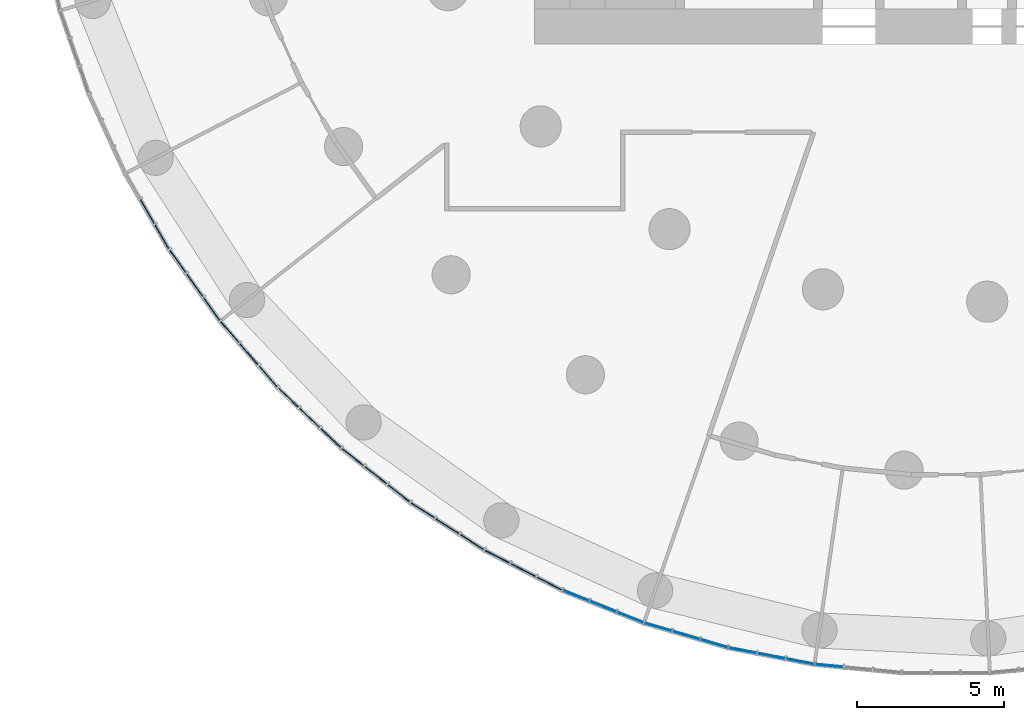
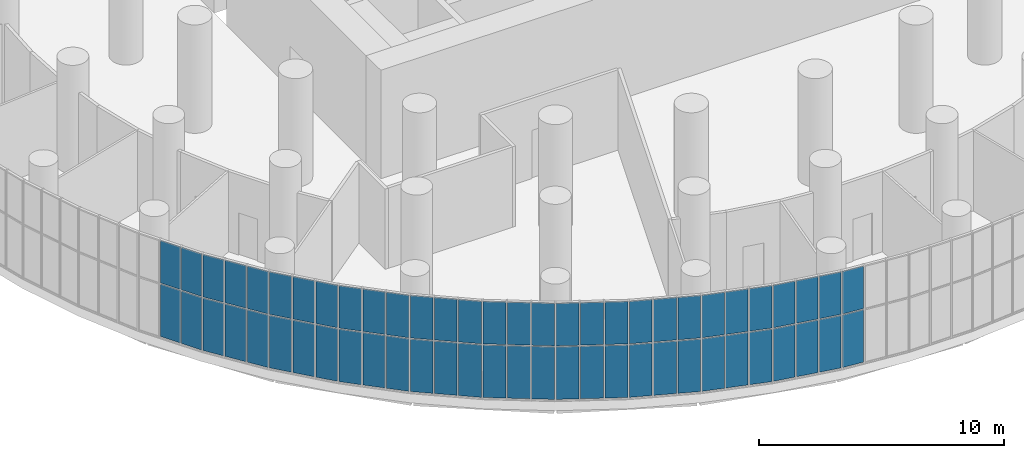
# One storey, part 12 of 27: 60 plates, 11 elements without a shape of their own.
"""IFC4 building model written with IfcOpenShell, lengths in metres."""

from ifc_helpers import new_model, si_unit, direction, frame, origin, origin_2d, place, context, subcontext, project, spatial, rectangle, extrude, material, layer, layer_set, type_object, element, aggregate, save


model = new_model("IFC4")

# Units and contexts
model_context = context("Model", 3, precision=1e-05, world=origin(), true_north=direction((0.0, 1.0)))
body_context = subcontext(model_context, "Body", "Model", "MODEL_VIEW")
ifc_project = project(units=[si_unit("LENGTHUNIT", "METRE"), si_unit("AREAUNIT", "SQUARE_METRE"), si_unit("VOLUMEUNIT", "CUBIC_METRE"), si_unit("PLANEANGLEUNIT", "RADIAN"), si_unit("MASSUNIT", "GRAM", prefix="KILO")], contexts=[model_context])

# Site, building, storey
site_placement = place(None, origin())
site = spatial("IfcSite", under=ifc_project, at=site_placement, CompositionType="ELEMENT")
building_placement = place(site_placement, origin())
building = spatial("IfcBuilding", under=site, at=building_placement, Name="Tracery Tower", CompositionType="ELEMENT")
storey_placement = place(building_placement, frame((0.0, 0.0, 114.60009765625)))
storey = spatial("IfcBuildingStorey", under=building, at=storey_placement, Name="L29", CompositionType="ELEMENT", Elevation=114.60009765625)

# Curtain wall, plates
ifc_material_1 = material(Name="Aluminium curtain wall with tinted glass", Category="aluminium")
ifc_layer_1 = layer(ifc_material_1, 0.179931640625)
ifc_layer_set_1 = layer_set([ifc_layer_1], Name="Sky lounge 1 tracery curtain wall")
curtain_wall_type = type_object("IfcCurtainWallType", Name="Sky lounge 1 tracery curtain wall", PredefinedType="NOTDEFINED", material=ifc_layer_set_1)
curtain_wall_1_placement = place(storey_placement, origin())
curtain_wall_1 = element("IfcCurtainWall", 1, at=curtain_wall_1_placement, inside=storey, type_object=curtain_wall_type, Name="Sky lounge 1 curtain wall run 39", PredefinedType="NOTDEFINED")
ifc_material_2 = material(Name="Tinted laminated glass", Category="glass")
ifc_layer_2 = layer(ifc_material_2, 0.031982421875)
ifc_layer_set_2 = layer_set([ifc_layer_2], Name="Sky lounge 1 glass panel 32")
plate_type = type_object("IfcPlateType", Name="Sky lounge 1 glass panel 32", PredefinedType="CURTAIN_PANEL", material=ifc_layer_set_2)
plate_1_placement = place(storey_placement, frame((-27.192138671875, -15.699462890625, 0.06005859375), z_axis=(0.0, 0.0, 1.0), x_axis=(0.5, -0.866025403784, 0.0)))
plate_1 = element("IfcPlate", 2, at=plate_1_placement, type_object=plate_type, Name="Sky lounge 1 curtain wall run 39 glass panel 3", PredefinedType="CURTAIN_PANEL", context=body_context, shape_type="SweptSolid", body=[
    extrude(rectangle(XDim=0.937255859375, YDim=0.031982421875, at=origin_2d()), origin(), (0.0, 0.0, 1.0), 2.610107421875),
])
plate_2_placement = place(storey_placement, frame((-27.192138671875, -15.699462890625, 2.72998046875), z_axis=(0.0, 0.0, 1.0), x_axis=(0.5, -0.866025403784, 0.0)))
plate_2 = element("IfcPlate", 3, at=plate_2_placement, type_object=plate_type, Name="Sky lounge 1 curtain wall run 39 glass panel 4", PredefinedType="CURTAIN_PANEL", context=body_context, shape_type="SweptSolid", body=[
    extrude(rectangle(XDim=0.937255859375, YDim=0.031982421875, at=origin_2d()), origin(), (0.0, 0.0, 1.0), 2.110107421875),
])
plate_3_placement = place(storey_placement, frame((-26.693603515625, -16.56298828125, 0.06005859375), z_axis=(0.0, 0.0, 1.0), x_axis=(0.5, -0.866025403784, 0.0)))
plate_3 = element("IfcPlate", 4, at=plate_3_placement, type_object=plate_type, Name="Sky lounge 1 curtain wall run 39 glass panel 5", PredefinedType="CURTAIN_PANEL", context=body_context, shape_type="SweptSolid", body=[
    extrude(rectangle(XDim=0.937255859375, YDim=0.031982421875, at=origin_2d()), origin(), (0.0, 0.0, 1.0), 2.610107421875),
])
plate_4_placement = place(storey_placement, frame((-26.693603515625, -16.56298828125, 2.72998046875), z_axis=(0.0, 0.0, 1.0), x_axis=(0.5, -0.866025403784, 0.0)))
plate_4 = element("IfcPlate", 5, at=plate_4_placement, type_object=plate_type, Name="Sky lounge 1 curtain wall run 39 glass panel 6", PredefinedType="CURTAIN_PANEL", context=body_context, shape_type="SweptSolid", body=[
    extrude(rectangle(XDim=0.937255859375, YDim=0.031982421875, at=origin_2d()), origin(), (0.0, 0.0, 1.0), 2.110107421875),
])
aggregate(curtain_wall_1, [plate_1, plate_2, plate_3, plate_4])

curtain_wall_2_placement = place(storey_placement, origin())
curtain_wall_2 = element("IfcCurtainWall", 6, at=curtain_wall_2_placement, inside=storey, type_object=curtain_wall_type, Name="Sky lounge 1 curtain wall run 40", PredefinedType="NOTDEFINED")
plate_5_placement = place(storey_placement, frame((-26.1552734375, -17.40087890625, 0.06005859375), z_axis=(0.0, 0.0, 1.0), x_axis=(0.580056909578, -0.814575952046, 0.0)))
plate_5 = element("IfcPlate", 7, at=plate_5_placement, type_object=plate_type, Name="Sky lounge 1 curtain wall run 40 glass panel 1", PredefinedType="CURTAIN_PANEL", context=body_context, shape_type="SweptSolid", body=[
    extrude(rectangle(XDim=0.937255859375, YDim=0.031982421875, at=origin_2d()), origin(), (0.0, 0.0, 1.0), 2.610107421875),
])
plate_6_placement = place(storey_placement, frame((-26.1552734375, -17.40087890625, 2.72998046875), z_axis=(0.0, 0.0, 1.0), x_axis=(0.580056909578, -0.814575952046, 0.0)))
plate_6 = element("IfcPlate", 8, at=plate_6_placement, type_object=plate_type, Name="Sky lounge 1 curtain wall run 40 glass panel 2", PredefinedType="CURTAIN_PANEL", context=body_context, shape_type="SweptSolid", body=[
    extrude(rectangle(XDim=0.937255859375, YDim=0.031982421875, at=origin_2d()), origin(), (0.0, 0.0, 1.0), 2.110107421875),
])
plate_7_placement = place(storey_placement, frame((-25.576904296875, -18.213134765625, 0.06005859375), z_axis=(0.0, 0.0, 1.0), x_axis=(0.580056909578, -0.814575952046, 0.0)))
plate_7 = element("IfcPlate", 9, at=plate_7_placement, type_object=plate_type, Name="Sky lounge 1 curtain wall run 40 glass panel 3", PredefinedType="CURTAIN_PANEL", context=body_context, shape_type="SweptSolid", body=[
    extrude(rectangle(XDim=0.937255859375, YDim=0.031982421875, at=origin_2d()), origin(), (0.0, 0.0, 1.0), 2.610107421875),
])
plate_8_placement = place(storey_placement, frame((-25.576904296875, -18.213134765625, 2.72998046875), z_axis=(0.0, 0.0, 1.0), x_axis=(0.580056909578, -0.814575952046, 0.0)))
plate_8 = element("IfcPlate", 10, at=plate_8_placement, type_object=plate_type, Name="Sky lounge 1 curtain wall run 40 glass panel 4", PredefinedType="CURTAIN_PANEL", context=body_context, shape_type="SweptSolid", body=[
    extrude(rectangle(XDim=0.937255859375, YDim=0.031982421875, at=origin_2d()), origin(), (0.0, 0.0, 1.0), 2.110107421875),
])
plate_9_placement = place(storey_placement, frame((-24.998291015625, -19.025390625, 0.06005859375), z_axis=(0.0, 0.0, 1.0), x_axis=(0.580056909578, -0.814575952046, 0.0)))
plate_9 = element("IfcPlate", 11, at=plate_9_placement, type_object=plate_type, Name="Sky lounge 1 curtain wall run 40 glass panel 5", PredefinedType="CURTAIN_PANEL", context=body_context, shape_type="SweptSolid", body=[
    extrude(rectangle(XDim=0.937255859375, YDim=0.031982421875, at=origin_2d()), origin(), (0.0, 0.0, 1.0), 2.610107421875),
])
plate_10_placement = place(storey_placement, frame((-24.998291015625, -19.025390625, 2.72998046875), z_axis=(0.0, 0.0, 1.0), x_axis=(0.580056909578, -0.814575952046, 0.0)))
plate_10 = element("IfcPlate", 12, at=plate_10_placement, type_object=plate_type, Name="Sky lounge 1 curtain wall run 40 glass panel 6", PredefinedType="CURTAIN_PANEL", context=body_context, shape_type="SweptSolid", body=[
    extrude(rectangle(XDim=0.937255859375, YDim=0.031982421875, at=origin_2d()), origin(), (0.0, 0.0, 1.0), 2.110107421875),
])
aggregate(curtain_wall_2, [plate_5, plate_6, plate_7, plate_8, plate_9, plate_10])

curtain_wall_3_placement = place(storey_placement, origin())
curtain_wall_3 = element("IfcCurtainWall", 13, at=curtain_wall_3_placement, inside=storey, type_object=curtain_wall_type, Name="Sky lounge 1 curtain wall run 41", PredefinedType="NOTDEFINED")
plate_11_placement = place(storey_placement, frame((-24.382568359375, -19.808349609375, 0.06005859375), z_axis=(0.0, 0.0, 1.0), x_axis=(0.654860733944, -0.755749574355, 0.0)))
plate_11 = element("IfcPlate", 14, at=plate_11_placement, type_object=plate_type, Name="Sky lounge 1 curtain wall run 41 glass panel 1", PredefinedType="CURTAIN_PANEL", context=body_context, shape_type="SweptSolid", body=[
    extrude(rectangle(XDim=0.937255859375, YDim=0.031982421875, at=origin_2d()), origin(), (0.0, 0.0, 1.0), 2.610107421875),
])
plate_12_placement = place(storey_placement, frame((-24.382568359375, -19.808349609375, 2.72998046875), z_axis=(0.0, 0.0, 1.0), x_axis=(0.654860733944, -0.755749574355, 0.0)))
plate_12 = element("IfcPlate", 15, at=plate_12_placement, type_object=plate_type, Name="Sky lounge 1 curtain wall run 41 glass panel 2", PredefinedType="CURTAIN_PANEL", context=body_context, shape_type="SweptSolid", body=[
    extrude(rectangle(XDim=0.937255859375, YDim=0.031982421875, at=origin_2d()), origin(), (0.0, 0.0, 1.0), 2.110107421875),
])
plate_13_placement = place(storey_placement, frame((-23.729736328125, -20.56201171875, 0.06005859375), z_axis=(0.0, 0.0, 1.0), x_axis=(0.654860733944, -0.755749574355, 0.0)))
plate_13 = element("IfcPlate", 16, at=plate_13_placement, type_object=plate_type, Name="Sky lounge 1 curtain wall run 41 glass panel 3", PredefinedType="CURTAIN_PANEL", context=body_context, shape_type="SweptSolid", body=[
    extrude(rectangle(XDim=0.937255859375, YDim=0.031982421875, at=origin_2d()), origin(), (0.0, 0.0, 1.0), 2.610107421875),
])
plate_14_placement = place(storey_placement, frame((-23.729736328125, -20.56201171875, 2.72998046875), z_axis=(0.0, 0.0, 1.0), x_axis=(0.654860733944, -0.755749574355, 0.0)))
plate_14 = element("IfcPlate", 17, at=plate_14_placement, type_object=plate_type, Name="Sky lounge 1 curtain wall run 41 glass panel 4", PredefinedType="CURTAIN_PANEL", context=body_context, shape_type="SweptSolid", body=[
    extrude(rectangle(XDim=0.937255859375, YDim=0.031982421875, at=origin_2d()), origin(), (0.0, 0.0, 1.0), 2.110107421875),
])
plate_15_placement = place(storey_placement, frame((-23.07666015625, -21.3154296875, 0.06005859375), z_axis=(0.0, 0.0, 1.0), x_axis=(0.654860733944, -0.755749574355, 0.0)))
plate_15 = element("IfcPlate", 18, at=plate_15_placement, type_object=plate_type, Name="Sky lounge 1 curtain wall run 41 glass panel 5", PredefinedType="CURTAIN_PANEL", context=body_context, shape_type="SweptSolid", body=[
    extrude(rectangle(XDim=0.937255859375, YDim=0.031982421875, at=origin_2d()), origin(), (0.0, 0.0, 1.0), 2.610107421875),
])
plate_16_placement = place(storey_placement, frame((-23.07666015625, -21.3154296875, 2.72998046875), z_axis=(0.0, 0.0, 1.0), x_axis=(0.654860733944, -0.755749574355, 0.0)))
plate_16 = element("IfcPlate", 19, at=plate_16_placement, type_object=plate_type, Name="Sky lounge 1 curtain wall run 41 glass panel 6", PredefinedType="CURTAIN_PANEL", context=body_context, shape_type="SweptSolid", body=[
    extrude(rectangle(XDim=0.937255859375, YDim=0.031982421875, at=origin_2d()), origin(), (0.0, 0.0, 1.0), 2.110107421875),
])
aggregate(curtain_wall_3, [plate_11, plate_12, plate_13, plate_14, plate_15, plate_16])

curtain_wall_4_placement = place(storey_placement, origin())
curtain_wall_4 = element("IfcCurtainWall", 20, at=curtain_wall_4_placement, inside=storey, type_object=curtain_wall_type, Name="Sky lounge 1 curtain wall run 42", PredefinedType="NOTDEFINED")
plate_17_placement = place(storey_placement, frame((-22.389404296875, -22.036376953125, 0.06005859375), z_axis=(0.0, 0.0, 1.0), x_axis=(0.723734038109, -0.690079011478, 0.0)))
plate_17 = element("IfcPlate", 21, at=plate_17_placement, type_object=plate_type, Name="Sky lounge 1 curtain wall run 42 glass panel 1", PredefinedType="CURTAIN_PANEL", context=body_context, shape_type="SweptSolid", body=[
    extrude(rectangle(XDim=0.937255859375, YDim=0.031982421875, at=origin_2d()), origin(), (0.0, 0.0, 1.0), 2.610107421875),
])
plate_18_placement = place(storey_placement, frame((-22.389404296875, -22.036376953125, 2.72998046875), z_axis=(0.0, 0.0, 1.0), x_axis=(0.723734038109, -0.690079011478, 0.0)))
plate_18 = element("IfcPlate", 22, at=plate_18_placement, type_object=plate_type, Name="Sky lounge 1 curtain wall run 42 glass panel 2", PredefinedType="CURTAIN_PANEL", context=body_context, shape_type="SweptSolid", body=[
    extrude(rectangle(XDim=0.937255859375, YDim=0.031982421875, at=origin_2d()), origin(), (0.0, 0.0, 1.0), 2.110107421875),
])
plate_19_placement = place(storey_placement, frame((-21.667724609375, -22.724365234375, 0.06005859375), z_axis=(0.0, 0.0, 1.0), x_axis=(0.723734038109, -0.690079011478, 0.0)))
plate_19 = element("IfcPlate", 23, at=plate_19_placement, type_object=plate_type, Name="Sky lounge 1 curtain wall run 42 glass panel 3", PredefinedType="CURTAIN_PANEL", context=body_context, shape_type="SweptSolid", body=[
    extrude(rectangle(XDim=0.937255859375, YDim=0.031982421875, at=origin_2d()), origin(), (0.0, 0.0, 1.0), 2.610107421875),
])
plate_20_placement = place(storey_placement, frame((-21.667724609375, -22.724365234375, 2.72998046875), z_axis=(0.0, 0.0, 1.0), x_axis=(0.723734038109, -0.690079011478, 0.0)))
plate_20 = element("IfcPlate", 24, at=plate_20_placement, type_object=plate_type, Name="Sky lounge 1 curtain wall run 42 glass panel 4", PredefinedType="CURTAIN_PANEL", context=body_context, shape_type="SweptSolid", body=[
    extrude(rectangle(XDim=0.937255859375, YDim=0.031982421875, at=origin_2d()), origin(), (0.0, 0.0, 1.0), 2.110107421875),
])
plate_21_placement = place(storey_placement, frame((-20.946044921875, -23.41259765625, 0.06005859375), z_axis=(0.0, 0.0, 1.0), x_axis=(0.723734038109, -0.690079011478, 0.0)))
plate_21 = element("IfcPlate", 25, at=plate_21_placement, type_object=plate_type, Name="Sky lounge 1 curtain wall run 42 glass panel 5", PredefinedType="CURTAIN_PANEL", context=body_context, shape_type="SweptSolid", body=[
    extrude(rectangle(XDim=0.937255859375, YDim=0.031982421875, at=origin_2d()), origin(), (0.0, 0.0, 1.0), 2.610107421875),
])
plate_22_placement = place(storey_placement, frame((-20.946044921875, -23.41259765625, 2.72998046875), z_axis=(0.0, 0.0, 1.0), x_axis=(0.723734038109, -0.690079011478, 0.0)))
plate_22 = element("IfcPlate", 26, at=plate_22_placement, type_object=plate_type, Name="Sky lounge 1 curtain wall run 42 glass panel 6", PredefinedType="CURTAIN_PANEL", context=body_context, shape_type="SweptSolid", body=[
    extrude(rectangle(XDim=0.937255859375, YDim=0.031982421875, at=origin_2d()), origin(), (0.0, 0.0, 1.0), 2.110107421875),
])
aggregate(curtain_wall_4, [plate_17, plate_18, plate_19, plate_20, plate_21, plate_22])

curtain_wall_5_placement = place(storey_placement, origin())
curtain_wall_5 = element("IfcCurtainWall", 27, at=curtain_wall_5_placement, inside=storey, type_object=curtain_wall_type, Name="Sky lounge 1 curtain wall run 43", PredefinedType="NOTDEFINED")
plate_23_placement = place(storey_placement, frame((-20.193359375, -24.064697265625, 0.06005859375), z_axis=(0.0, 0.0, 1.0), x_axis=(0.786053094741, -0.618158986223, 0.0)))
plate_23 = element("IfcPlate", 28, at=plate_23_placement, type_object=plate_type, Name="Sky lounge 1 curtain wall run 43 glass panel 1", PredefinedType="CURTAIN_PANEL", context=body_context, shape_type="SweptSolid", body=[
    extrude(rectangle(XDim=0.937255859375, YDim=0.031982421875, at=origin_2d()), origin(), (0.0, 0.0, 1.0), 2.610107421875),
])
plate_24_placement = place(storey_placement, frame((-20.193359375, -24.064697265625, 2.72998046875), z_axis=(0.0, 0.0, 1.0), x_axis=(0.786053094741, -0.618158986223, 0.0)))
plate_24 = element("IfcPlate", 29, at=plate_24_placement, type_object=plate_type, Name="Sky lounge 1 curtain wall run 43 glass panel 2", PredefinedType="CURTAIN_PANEL", context=body_context, shape_type="SweptSolid", body=[
    extrude(rectangle(XDim=0.937255859375, YDim=0.031982421875, at=origin_2d()), origin(), (0.0, 0.0, 1.0), 2.110107421875),
])
plate_25_placement = place(storey_placement, frame((-19.409423828125, -24.68115234375, 0.06005859375), z_axis=(0.0, 0.0, 1.0), x_axis=(0.786053094741, -0.618158986223, 0.0)))
plate_25 = element("IfcPlate", 30, at=plate_25_placement, type_object=plate_type, Name="Sky lounge 1 curtain wall run 43 glass panel 3", PredefinedType="CURTAIN_PANEL", context=body_context, shape_type="SweptSolid", body=[
    extrude(rectangle(XDim=0.937255859375, YDim=0.031982421875, at=origin_2d()), origin(), (0.0, 0.0, 1.0), 2.610107421875),
])
plate_26_placement = place(storey_placement, frame((-19.409423828125, -24.68115234375, 2.72998046875), z_axis=(0.0, 0.0, 1.0), x_axis=(0.786053094741, -0.618158986223, 0.0)))
plate_26 = element("IfcPlate", 31, at=plate_26_placement, type_object=plate_type, Name="Sky lounge 1 curtain wall run 43 glass panel 4", PredefinedType="CURTAIN_PANEL", context=body_context, shape_type="SweptSolid", body=[
    extrude(rectangle(XDim=0.937255859375, YDim=0.031982421875, at=origin_2d()), origin(), (0.0, 0.0, 1.0), 2.110107421875),
])
plate_27_placement = place(storey_placement, frame((-18.625732421875, -25.297607421875, 0.06005859375), z_axis=(0.0, 0.0, 1.0), x_axis=(0.786053094741, -0.618158986223, 0.0)))
plate_27 = element("IfcPlate", 32, at=plate_27_placement, type_object=plate_type, Name="Sky lounge 1 curtain wall run 43 glass panel 5", PredefinedType="CURTAIN_PANEL", context=body_context, shape_type="SweptSolid", body=[
    extrude(rectangle(XDim=0.937255859375, YDim=0.031982421875, at=origin_2d()), origin(), (0.0, 0.0, 1.0), 2.610107421875),
])
plate_28_placement = place(storey_placement, frame((-18.625732421875, -25.297607421875, 2.72998046875), z_axis=(0.0, 0.0, 1.0), x_axis=(0.786053094741, -0.618158986223, 0.0)))
plate_28 = element("IfcPlate", 33, at=plate_28_placement, type_object=plate_type, Name="Sky lounge 1 curtain wall run 43 glass panel 6", PredefinedType="CURTAIN_PANEL", context=body_context, shape_type="SweptSolid", body=[
    extrude(rectangle(XDim=0.937255859375, YDim=0.031982421875, at=origin_2d()), origin(), (0.0, 0.0, 1.0), 2.110107421875),
])
aggregate(curtain_wall_5, [plate_23, plate_24, plate_25, plate_26, plate_27, plate_28])

curtain_wall_6_placement = place(storey_placement, origin())
curtain_wall_6 = element("IfcCurtainWall", 34, at=curtain_wall_6_placement, inside=storey, type_object=curtain_wall_type, Name="Sky lounge 1 curtain wall run 44", PredefinedType="NOTDEFINED")
plate_29_placement = place(storey_placement, frame((-17.814453125, -25.875244140625, 0.06005859375), z_axis=(0.0, 0.0, 1.0), x_axis=(0.841253532834, -0.540640817452, 0.0)))
plate_29 = element("IfcPlate", 35, at=plate_29_placement, type_object=plate_type, Name="Sky lounge 1 curtain wall run 44 glass panel 1", PredefinedType="CURTAIN_PANEL", context=body_context, shape_type="SweptSolid", body=[
    extrude(rectangle(XDim=0.937255859375, YDim=0.031982421875, at=origin_2d()), origin(), (0.0, 0.0, 1.0), 2.610107421875),
])
plate_30_placement = place(storey_placement, frame((-17.814453125, -25.875244140625, 2.72998046875), z_axis=(0.0, 0.0, 1.0), x_axis=(0.841253532834, -0.540640817452, 0.0)))
plate_30 = element("IfcPlate", 36, at=plate_30_placement, type_object=plate_type, Name="Sky lounge 1 curtain wall run 44 glass panel 2", PredefinedType="CURTAIN_PANEL", context=body_context, shape_type="SweptSolid", body=[
    extrude(rectangle(XDim=0.937255859375, YDim=0.031982421875, at=origin_2d()), origin(), (0.0, 0.0, 1.0), 2.110107421875),
])
plate_31_placement = place(storey_placement, frame((-16.9755859375, -26.41455078125, 0.06005859375), z_axis=(0.0, 0.0, 1.0), x_axis=(0.841253532834, -0.540640817452, 0.0)))
plate_31 = element("IfcPlate", 37, at=plate_31_placement, type_object=plate_type, Name="Sky lounge 1 curtain wall run 44 glass panel 3", PredefinedType="CURTAIN_PANEL", context=body_context, shape_type="SweptSolid", body=[
    extrude(rectangle(XDim=0.937255859375, YDim=0.031982421875, at=origin_2d()), origin(), (0.0, 0.0, 1.0), 2.610107421875),
])
plate_32_placement = place(storey_placement, frame((-16.9755859375, -26.41455078125, 2.72998046875), z_axis=(0.0, 0.0, 1.0), x_axis=(0.841253532834, -0.540640817452, 0.0)))
plate_32 = element("IfcPlate", 38, at=plate_32_placement, type_object=plate_type, Name="Sky lounge 1 curtain wall run 44 glass panel 4", PredefinedType="CURTAIN_PANEL", context=body_context, shape_type="SweptSolid", body=[
    extrude(rectangle(XDim=0.937255859375, YDim=0.031982421875, at=origin_2d()), origin(), (0.0, 0.0, 1.0), 2.110107421875),
])
plate_33_placement = place(storey_placement, frame((-16.13671875, -26.95361328125, 0.06005859375), z_axis=(0.0, 0.0, 1.0), x_axis=(0.841253532834, -0.540640817452, 0.0)))
plate_33 = element("IfcPlate", 39, at=plate_33_placement, type_object=plate_type, Name="Sky lounge 1 curtain wall run 44 glass panel 5", PredefinedType="CURTAIN_PANEL", context=body_context, shape_type="SweptSolid", body=[
    extrude(rectangle(XDim=0.937255859375, YDim=0.031982421875, at=origin_2d()), origin(), (0.0, 0.0, 1.0), 2.610107421875),
])
plate_34_placement = place(storey_placement, frame((-16.13671875, -26.95361328125, 2.72998046875), z_axis=(0.0, 0.0, 1.0), x_axis=(0.841253532834, -0.540640817452, 0.0)))
plate_34 = element("IfcPlate", 40, at=plate_34_placement, type_object=plate_type, Name="Sky lounge 1 curtain wall run 44 glass panel 6", PredefinedType="CURTAIN_PANEL", context=body_context, shape_type="SweptSolid", body=[
    extrude(rectangle(XDim=0.937255859375, YDim=0.031982421875, at=origin_2d()), origin(), (0.0, 0.0, 1.0), 2.110107421875),
])
aggregate(curtain_wall_6, [plate_29, plate_30, plate_31, plate_32, plate_33, plate_34])

curtain_wall_7_placement = place(storey_placement, origin())
curtain_wall_7 = element("IfcCurtainWall", 41, at=curtain_wall_7_placement, inside=storey, type_object=curtain_wall_type, Name="Sky lounge 1 curtain wall run 45", PredefinedType="NOTDEFINED")
plate_35_placement = place(storey_placement, frame((-15.274169921875, -27.451416015625, 0.06005859375), z_axis=(0.0, 0.0, 1.0), x_axis=(0.888835448653, -0.458226521732, 0.0)))
plate_35 = element("IfcPlate", 42, at=plate_35_placement, type_object=plate_type, Name="Sky lounge 1 curtain wall run 45 glass panel 1", PredefinedType="CURTAIN_PANEL", context=body_context, shape_type="SweptSolid", body=[
    extrude(rectangle(XDim=0.937255859375, YDim=0.031982421875, at=origin_2d()), origin(), (0.0, 0.0, 1.0), 2.610107421875),
])
plate_36_placement = place(storey_placement, frame((-15.274169921875, -27.451416015625, 2.72998046875), z_axis=(0.0, 0.0, 1.0), x_axis=(0.888835448653, -0.458226521732, 0.0)))
plate_36 = element("IfcPlate", 43, at=plate_36_placement, type_object=plate_type, Name="Sky lounge 1 curtain wall run 45 glass panel 2", PredefinedType="CURTAIN_PANEL", context=body_context, shape_type="SweptSolid", body=[
    extrude(rectangle(XDim=0.937255859375, YDim=0.031982421875, at=origin_2d()), origin(), (0.0, 0.0, 1.0), 2.110107421875),
])
plate_37_placement = place(storey_placement, frame((-14.3876953125, -27.908447265625, 0.06005859375), z_axis=(0.0, 0.0, 1.0), x_axis=(0.888835448653, -0.458226521732, 0.0)))
plate_37 = element("IfcPlate", 44, at=plate_37_placement, type_object=plate_type, Name="Sky lounge 1 curtain wall run 45 glass panel 3", PredefinedType="CURTAIN_PANEL", context=body_context, shape_type="SweptSolid", body=[
    extrude(rectangle(XDim=0.937255859375, YDim=0.031982421875, at=origin_2d()), origin(), (0.0, 0.0, 1.0), 2.610107421875),
])
plate_38_placement = place(storey_placement, frame((-14.3876953125, -27.908447265625, 2.72998046875), z_axis=(0.0, 0.0, 1.0), x_axis=(0.888835448653, -0.458226521732, 0.0)))
plate_38 = element("IfcPlate", 45, at=plate_38_placement, type_object=plate_type, Name="Sky lounge 1 curtain wall run 45 glass panel 4", PredefinedType="CURTAIN_PANEL", context=body_context, shape_type="SweptSolid", body=[
    extrude(rectangle(XDim=0.937255859375, YDim=0.031982421875, at=origin_2d()), origin(), (0.0, 0.0, 1.0), 2.110107421875),
])
plate_39_placement = place(storey_placement, frame((-13.50146484375, -28.365478515625, 0.06005859375), z_axis=(0.0, 0.0, 1.0), x_axis=(0.888835448653, -0.458226521732, 0.0)))
plate_39 = element("IfcPlate", 46, at=plate_39_placement, type_object=plate_type, Name="Sky lounge 1 curtain wall run 45 glass panel 5", PredefinedType="CURTAIN_PANEL", context=body_context, shape_type="SweptSolid", body=[
    extrude(rectangle(XDim=0.937255859375, YDim=0.031982421875, at=origin_2d()), origin(), (0.0, 0.0, 1.0), 2.610107421875),
])
plate_40_placement = place(storey_placement, frame((-13.50146484375, -28.365478515625, 2.72998046875), z_axis=(0.0, 0.0, 1.0), x_axis=(0.888835448653, -0.458226521732, 0.0)))
plate_40 = element("IfcPlate", 47, at=plate_40_placement, type_object=plate_type, Name="Sky lounge 1 curtain wall run 45 glass panel 6", PredefinedType="CURTAIN_PANEL", context=body_context, shape_type="SweptSolid", body=[
    extrude(rectangle(XDim=0.937255859375, YDim=0.031982421875, at=origin_2d()), origin(), (0.0, 0.0, 1.0), 2.110107421875),
])
aggregate(curtain_wall_7, [plate_35, plate_36, plate_37, plate_38, plate_39, plate_40])

curtain_wall_8_placement = place(storey_placement, origin())
curtain_wall_8 = element("IfcCurtainWall", 48, at=curtain_wall_8_placement, inside=storey, type_object=curtain_wall_type, Name="Sky lounge 1 curtain wall run 46", PredefinedType="NOTDEFINED")
plate_41_placement = place(storey_placement, frame((-12.595458984375, -28.779052734375, 0.06005859375), z_axis=(0.0, 0.0, 1.0), x_axis=(0.928367933017, -0.371662455657, 0.0)))
plate_41 = element("IfcPlate", 49, at=plate_41_placement, type_object=plate_type, Name="Sky lounge 1 curtain wall run 46 glass panel 1", PredefinedType="CURTAIN_PANEL", context=body_context, shape_type="SweptSolid", body=[
    extrude(rectangle(XDim=0.937255859375, YDim=0.031982421875, at=origin_2d()), origin(), (0.0, 0.0, 1.0), 2.610107421875),
])
plate_42_placement = place(storey_placement, frame((-12.595458984375, -28.779052734375, 2.72998046875), z_axis=(0.0, 0.0, 1.0), x_axis=(0.928367933017, -0.371662455657, 0.0)))
plate_42 = element("IfcPlate", 50, at=plate_42_placement, type_object=plate_type, Name="Sky lounge 1 curtain wall run 46 glass panel 2", PredefinedType="CURTAIN_PANEL", context=body_context, shape_type="SweptSolid", body=[
    extrude(rectangle(XDim=0.937255859375, YDim=0.031982421875, at=origin_2d()), origin(), (0.0, 0.0, 1.0), 2.110107421875),
])
plate_43_placement = place(storey_placement, frame((-11.669677734375, -29.149658203125, 0.06005859375), z_axis=(0.0, 0.0, 1.0), x_axis=(0.928367933017, -0.371662455657, 0.0)))
plate_43 = element("IfcPlate", 51, at=plate_43_placement, type_object=plate_type, Name="Sky lounge 1 curtain wall run 46 glass panel 3", PredefinedType="CURTAIN_PANEL", context=body_context, shape_type="SweptSolid", body=[
    extrude(rectangle(XDim=0.937255859375, YDim=0.031982421875, at=origin_2d()), origin(), (0.0, 0.0, 1.0), 2.610107421875),
])
plate_44_placement = place(storey_placement, frame((-11.669677734375, -29.149658203125, 2.72998046875), z_axis=(0.0, 0.0, 1.0), x_axis=(0.928367933017, -0.371662455657, 0.0)))
plate_44 = element("IfcPlate", 52, at=plate_44_placement, type_object=plate_type, Name="Sky lounge 1 curtain wall run 46 glass panel 4", PredefinedType="CURTAIN_PANEL", context=body_context, shape_type="SweptSolid", body=[
    extrude(rectangle(XDim=0.937255859375, YDim=0.031982421875, at=origin_2d()), origin(), (0.0, 0.0, 1.0), 2.110107421875),
])
plate_45_placement = place(storey_placement, frame((-10.744140625, -29.520263671875, 0.06005859375), z_axis=(0.0, 0.0, 1.0), x_axis=(0.928367933017, -0.371662455657, 0.0)))
plate_45 = element("IfcPlate", 53, at=plate_45_placement, type_object=plate_type, Name="Sky lounge 1 curtain wall run 46 glass panel 5", PredefinedType="CURTAIN_PANEL", context=body_context, shape_type="SweptSolid", body=[
    extrude(rectangle(XDim=0.937255859375, YDim=0.031982421875, at=origin_2d()), origin(), (0.0, 0.0, 1.0), 2.610107421875),
])
plate_46_placement = place(storey_placement, frame((-10.744140625, -29.520263671875, 2.72998046875), z_axis=(0.0, 0.0, 1.0), x_axis=(0.928367933017, -0.371662455657, 0.0)))
plate_46 = element("IfcPlate", 54, at=plate_46_placement, type_object=plate_type, Name="Sky lounge 1 curtain wall run 46 glass panel 6", PredefinedType="CURTAIN_PANEL", context=body_context, shape_type="SweptSolid", body=[
    extrude(rectangle(XDim=0.937255859375, YDim=0.031982421875, at=origin_2d()), origin(), (0.0, 0.0, 1.0), 2.110107421875),
])
aggregate(curtain_wall_8, [plate_41, plate_42, plate_43, plate_44, plate_45, plate_46])

curtain_wall_9_placement = place(storey_placement, origin())
curtain_wall_9 = element("IfcCurtainWall", 55, at=curtain_wall_9_placement, inside=storey, type_object=curtain_wall_type, Name="Sky lounge 1 curtain wall run 47", PredefinedType="NOTDEFINED")
plate_47_placement = place(storey_placement, frame((-9.802734375, -29.84619140625, 0.06005859375), z_axis=(0.0, 0.0, 1.0), x_axis=(0.959492973613, -0.281732556848, 0.0)))
plate_47 = element("IfcPlate", 56, at=plate_47_placement, type_object=plate_type, Name="Sky lounge 1 curtain wall run 47 glass panel 1", PredefinedType="CURTAIN_PANEL", context=body_context, shape_type="SweptSolid", body=[
    extrude(rectangle(XDim=0.937255859375, YDim=0.031982421875, at=origin_2d()), origin(), (0.0, 0.0, 1.0), 2.610107421875),
])
plate_48_placement = place(storey_placement, frame((-9.802734375, -29.84619140625, 2.72998046875), z_axis=(0.0, 0.0, 1.0), x_axis=(0.959492973613, -0.281732556848, 0.0)))
plate_48 = element("IfcPlate", 57, at=plate_48_placement, type_object=plate_type, Name="Sky lounge 1 curtain wall run 47 glass panel 2", PredefinedType="CURTAIN_PANEL", context=body_context, shape_type="SweptSolid", body=[
    extrude(rectangle(XDim=0.937255859375, YDim=0.031982421875, at=origin_2d()), origin(), (0.0, 0.0, 1.0), 2.110107421875),
])
plate_49_placement = place(storey_placement, frame((-8.84619140625, -30.126953125, 0.06005859375), z_axis=(0.0, 0.0, 1.0), x_axis=(0.959492973613, -0.281732556848, 0.0)))
plate_49 = element("IfcPlate", 58, at=plate_49_placement, type_object=plate_type, Name="Sky lounge 1 curtain wall run 47 glass panel 3", PredefinedType="CURTAIN_PANEL", context=body_context, shape_type="SweptSolid", body=[
    extrude(rectangle(XDim=0.937255859375, YDim=0.031982421875, at=origin_2d()), origin(), (0.0, 0.0, 1.0), 2.610107421875),
])
plate_50_placement = place(storey_placement, frame((-8.84619140625, -30.126953125, 2.72998046875), z_axis=(0.0, 0.0, 1.0), x_axis=(0.959492973613, -0.281732556848, 0.0)))
plate_50 = element("IfcPlate", 59, at=plate_50_placement, type_object=plate_type, Name="Sky lounge 1 curtain wall run 47 glass panel 4", PredefinedType="CURTAIN_PANEL", context=body_context, shape_type="SweptSolid", body=[
    extrude(rectangle(XDim=0.937255859375, YDim=0.031982421875, at=origin_2d()), origin(), (0.0, 0.0, 1.0), 2.110107421875),
])
plate_51_placement = place(storey_placement, frame((-7.889404296875, -30.407958984375, 0.06005859375), z_axis=(0.0, 0.0, 1.0), x_axis=(0.959492973613, -0.281732556848, 0.0)))
plate_51 = element("IfcPlate", 60, at=plate_51_placement, type_object=plate_type, Name="Sky lounge 1 curtain wall run 47 glass panel 5", PredefinedType="CURTAIN_PANEL", context=body_context, shape_type="SweptSolid", body=[
    extrude(rectangle(XDim=0.937255859375, YDim=0.031982421875, at=origin_2d()), origin(), (0.0, 0.0, 1.0), 2.610107421875),
])
plate_52_placement = place(storey_placement, frame((-7.889404296875, -30.407958984375, 2.72998046875), z_axis=(0.0, 0.0, 1.0), x_axis=(0.959492973613, -0.281732556848, 0.0)))
plate_52 = element("IfcPlate", 61, at=plate_52_placement, type_object=plate_type, Name="Sky lounge 1 curtain wall run 47 glass panel 6", PredefinedType="CURTAIN_PANEL", context=body_context, shape_type="SweptSolid", body=[
    extrude(rectangle(XDim=0.937255859375, YDim=0.031982421875, at=origin_2d()), origin(), (0.0, 0.0, 1.0), 2.110107421875),
])
aggregate(curtain_wall_9, [plate_47, plate_48, plate_49, plate_50, plate_51, plate_52])

curtain_wall_10_placement = place(storey_placement, origin())
curtain_wall_10 = element("IfcCurtainWall", 62, at=curtain_wall_10_placement, inside=storey, type_object=curtain_wall_type, Name="Sky lounge 1 curtain wall run 48", PredefinedType="NOTDEFINED")
plate_53_placement = place(storey_placement, frame((-6.92138671875, -30.642822265625, 0.06005859375), z_axis=(0.0, 0.0, 1.0), x_axis=(0.981928697263, -0.189251244359, 0.0)))
plate_53 = element("IfcPlate", 63, at=plate_53_placement, type_object=plate_type, Name="Sky lounge 1 curtain wall run 48 glass panel 1", PredefinedType="CURTAIN_PANEL", context=body_context, shape_type="SweptSolid", body=[
    extrude(rectangle(XDim=0.937255859375, YDim=0.031982421875, at=origin_2d()), origin(), (0.0, 0.0, 1.0), 2.610107421875),
])
plate_54_placement = place(storey_placement, frame((-6.92138671875, -30.642822265625, 2.72998046875), z_axis=(0.0, 0.0, 1.0), x_axis=(0.981928697263, -0.189251244359, 0.0)))
plate_54 = element("IfcPlate", 64, at=plate_54_placement, type_object=plate_type, Name="Sky lounge 1 curtain wall run 48 glass panel 2", PredefinedType="CURTAIN_PANEL", context=body_context, shape_type="SweptSolid", body=[
    extrude(rectangle(XDim=0.937255859375, YDim=0.031982421875, at=origin_2d()), origin(), (0.0, 0.0, 1.0), 2.110107421875),
])
plate_55_placement = place(storey_placement, frame((-5.9423828125, -30.83154296875, 0.06005859375), z_axis=(0.0, 0.0, 1.0), x_axis=(0.981928697263, -0.189251244359, 0.0)))
plate_55 = element("IfcPlate", 65, at=plate_55_placement, type_object=plate_type, Name="Sky lounge 1 curtain wall run 48 glass panel 3", PredefinedType="CURTAIN_PANEL", context=body_context, shape_type="SweptSolid", body=[
    extrude(rectangle(XDim=0.937255859375, YDim=0.031982421875, at=origin_2d()), origin(), (0.0, 0.0, 1.0), 2.610107421875),
])
plate_56_placement = place(storey_placement, frame((-5.9423828125, -30.83154296875, 2.72998046875), z_axis=(0.0, 0.0, 1.0), x_axis=(0.981928697263, -0.189251244359, 0.0)))
plate_56 = element("IfcPlate", 66, at=plate_56_placement, type_object=plate_type, Name="Sky lounge 1 curtain wall run 48 glass panel 4", PredefinedType="CURTAIN_PANEL", context=body_context, shape_type="SweptSolid", body=[
    extrude(rectangle(XDim=0.937255859375, YDim=0.031982421875, at=origin_2d()), origin(), (0.0, 0.0, 1.0), 2.110107421875),
])
plate_57_placement = place(storey_placement, frame((-4.963134765625, -31.020263671875, 0.06005859375), z_axis=(0.0, 0.0, 1.0), x_axis=(0.981928697263, -0.189251244359, 0.0)))
plate_57 = element("IfcPlate", 67, at=plate_57_placement, type_object=plate_type, Name="Sky lounge 1 curtain wall run 48 glass panel 5", PredefinedType="CURTAIN_PANEL", context=body_context, shape_type="SweptSolid", body=[
    extrude(rectangle(XDim=0.937255859375, YDim=0.031982421875, at=origin_2d()), origin(), (0.0, 0.0, 1.0), 2.610107421875),
])
plate_58_placement = place(storey_placement, frame((-4.963134765625, -31.020263671875, 2.72998046875), z_axis=(0.0, 0.0, 1.0), x_axis=(0.981928697263, -0.189251244359, 0.0)))
plate_58 = element("IfcPlate", 68, at=plate_58_placement, type_object=plate_type, Name="Sky lounge 1 curtain wall run 48 glass panel 6", PredefinedType="CURTAIN_PANEL", context=body_context, shape_type="SweptSolid", body=[
    extrude(rectangle(XDim=0.937255859375, YDim=0.031982421875, at=origin_2d()), origin(), (0.0, 0.0, 1.0), 2.110107421875),
])
aggregate(curtain_wall_10, [plate_53, plate_54, plate_55, plate_56, plate_57, plate_58])

curtain_wall_11_placement = place(storey_placement, origin())
curtain_wall_11 = element("IfcCurtainWall", 69, at=curtain_wall_11_placement, inside=storey, type_object=curtain_wall_type, Name="Sky lounge 1 curtain wall run 49", PredefinedType="NOTDEFINED")
plate_59_placement = place(storey_placement, frame((-3.977294921875, -31.161865234375, 0.06005859375), z_axis=(0.0, 0.0, 1.0), x_axis=(0.995471922572, -0.095056043312, 0.0)))
plate_59 = element("IfcPlate", 70, at=plate_59_placement, type_object=plate_type, Name="Sky lounge 1 curtain wall run 49 glass panel 1", PredefinedType="CURTAIN_PANEL", context=body_context, shape_type="SweptSolid", body=[
    extrude(rectangle(XDim=0.937255859375, YDim=0.031982421875, at=origin_2d()), origin(), (0.0, 0.0, 1.0), 2.610107421875),
])
plate_60_placement = place(storey_placement, frame((-3.977294921875, -31.161865234375, 2.72998046875), z_axis=(0.0, 0.0, 1.0), x_axis=(0.995471922572, -0.095056043312, 0.0)))
plate_60 = element("IfcPlate", 71, at=plate_60_placement, type_object=plate_type, Name="Sky lounge 1 curtain wall run 49 glass panel 2", PredefinedType="CURTAIN_PANEL", context=body_context, shape_type="SweptSolid", body=[
    extrude(rectangle(XDim=0.937255859375, YDim=0.031982421875, at=origin_2d()), origin(), (0.0, 0.0, 1.0), 2.110107421875),
])
aggregate(curtain_wall_11, [plate_59, plate_60])

save(model, "model.ifc")
